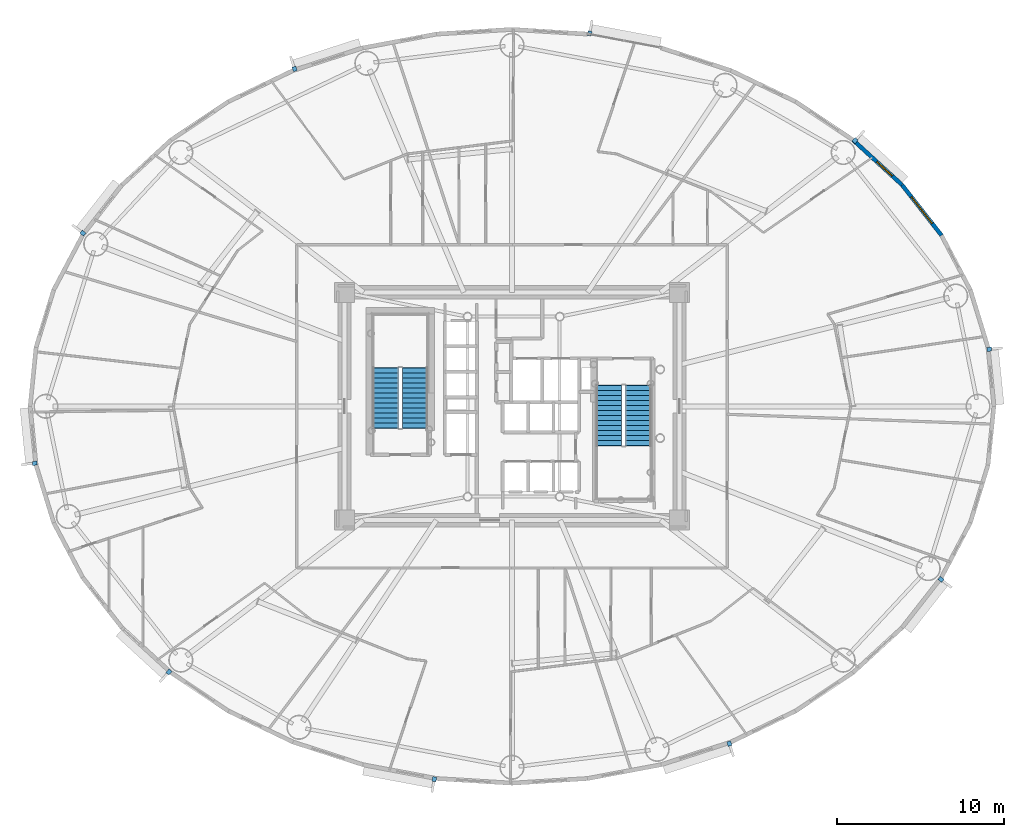
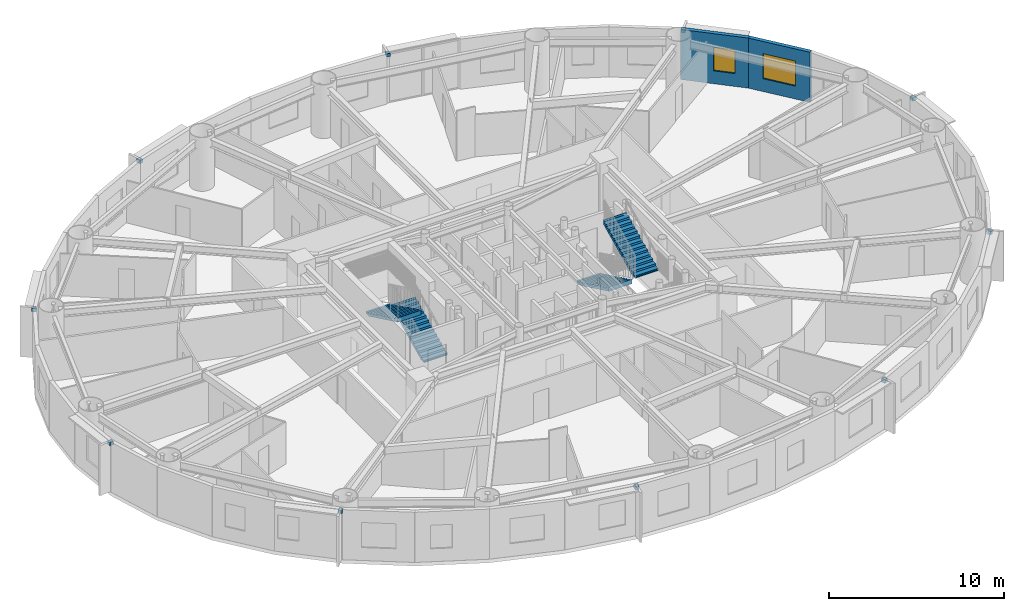
# One storey, part 14 of 19: 10 discrete accessories, 4 stair flights, 2 walls, 2 windows, 2 openings, 2 elements without a shape of their own.
"""IFC4 building model written with IfcOpenShell, lengths in metres."""

from ifc_helpers import new_model, si_unit, direction, frame, frame_2d, origin, origin_2d, place, context, subcontext, project, spatial, polyline, rectangle, outline, extrude, source, transform, mapped, material, layer, layer_set, type_object, element, fill, aggregate, save


model = new_model("IFC4")

# Units and contexts
model_context = context("Model", 3, precision=1e-05, world=origin(), true_north=direction((0.0, 1.0)))
body_context = subcontext(model_context, "Body", "Model", "MODEL_VIEW")
ifc_project = project(units=[si_unit("LENGTHUNIT", "METRE"), si_unit("AREAUNIT", "SQUARE_METRE"), si_unit("VOLUMEUNIT", "CUBIC_METRE"), si_unit("PLANEANGLEUNIT", "RADIAN"), si_unit("MASSUNIT", "GRAM", prefix="KILO")], contexts=[model_context])

# Site, building, storey
site_placement = place(None, origin())
site = spatial("IfcSite", under=ifc_project, at=site_placement, CompositionType="ELEMENT")
building_placement = place(site_placement, origin())
building = spatial("IfcBuilding", under=site, at=building_placement, Name="Linh Dai School and Residence Tower", CompositionType="ELEMENT")
storey_placement = place(building_placement, frame((0.0, 0.0, 112.199951171875)))
storey = spatial("IfcBuildingStorey", under=building, at=storey_placement, Name="L26", CompositionType="ELEMENT", Elevation=112.199951171875)

# Wall, opening, window
ifc_material_1 = material(Name="Precast Concrete B45 (C35/45)", Category="concrete")
ifc_layer = layer(ifc_material_1, 0.239990234375)
ifc_layer_set = layer_set([ifc_layer], Name="Precast Concrete B45 (C35/45)")
wall_type = type_object("IfcWallType", Name="EW-TC-240", PredefinedType="SOLIDWALL", material=ifc_layer_set)
wall_1_placement = place(storey_placement, frame((59.2890625, 40.216552734375, 0.0), z_axis=(0.0, 0.0, 1.0), x_axis=(0.616272103517, -0.787533297345, 0.0)))
wall_1 = element("IfcWall", 1, at=wall_1_placement, inside=storey, type_object=wall_type, Name="L26 Terracotta Exterior Wall 04", PredefinedType="SOLIDWALL", context=body_context, shape_type="SweptSolid", body=[
    extrude(rectangle(XDim=3.8232421875, YDim=0.239990234375, at=frame_2d((1.91162109375, 0.0))), origin(), (0.0, 0.0, 1.0), 3.5),
])
opening_1_placement = place(wall_1_placement, frame((0.91162109375, 0.0, 0.89990234375)))
opening_1 = element("IfcOpeningElement", 2, at=opening_1_placement, cuts=wall_1, Name="Opening W1", PredefinedType="OPENING", context=body_context, shape_type="SweptSolid", body=[
    extrude(rectangle(XDim=2.0, YDim=1.75, at=origin_2d()), frame((1.0, 0.1298828125, 0.875), z_axis=(0.0, -1.0, 0.0), x_axis=(1.0, 0.0, 0.0)), (0.0, 0.0, 1.0), 0.260009765625),
])
ifc_material_2 = material(Name="Double Low-E Insulated Glazing", Category="glass")
window_type_1 = type_object("IfcWindowType", Name="WN-RES-2000x1750", PartitioningType="DOUBLE_PANEL_VERTICAL", PredefinedType="WINDOW", material=ifc_material_2)
shared_shape_1 = source(origin(), body_context, "Body", "SweptSolid", [
    extrude(rectangle(XDim=2.0, YDim=1.75, at=origin_2d()), frame((1.0, 0.030029296875, 0.875), z_axis=(0.0, -1.0, 0.0), x_axis=(1.0, 0.0, 0.0)), (0.0, 0.0, 1.0), 0.06005859375),
])
window_1_placement = place(opening_1_placement, origin())
window_1 = element("IfcWindow", 3, at=window_1_placement, inside=storey, type_object=window_type_1, Name="L26 Exterior Window 04.1", OverallHeight=1.75, OverallWidth=2.0, PartitioningType="DOUBLE_PANEL_VERTICAL", PredefinedType="WINDOW", context=body_context, shape_type="MappedRepresentation", body=[
    mapped(shared_shape_1, transform((0.0, 0.0, 0.0), x_axis=(1.0, 0.0, 0.0), y_axis=(0.0, 1.0, 0.0), z_axis=(0.0, 0.0, 1.0), scale=1.0)),
])
fill(opening_1, window_1)

wall_2_placement = place(storey_placement, frame((56.3583984375, 42.9033203125, 0.0), z_axis=(0.0, 0.0, 1.0), x_axis=(0.737113356241, -0.675769117414, 0.0)))
wall_2 = element("IfcWall", 4, at=wall_2_placement, inside=storey, type_object=wall_type, Name="L26 Terracotta Exterior Wall 05", PredefinedType="SOLIDWALL", context=body_context, shape_type="SweptSolid", body=[
    extrude(rectangle(XDim=3.975830078125, YDim=0.239990234375, at=frame_2d((1.98779296875, 0.0))), origin(), (0.0, 0.0, 1.0), 3.5),
])
opening_2_placement = place(wall_2_placement, frame((1.932861328125, 0.0, 0.89990234375)))
opening_2 = element("IfcOpeningElement", 5, at=opening_2_placement, cuts=wall_2, Name="Opening W3", PredefinedType="OPENING", context=body_context, shape_type="SweptSolid", body=[
    extrude(rectangle(XDim=1.25, YDim=1.64990234375, at=origin_2d()), frame((0.625, 0.1298828125, 0.824951171875), z_axis=(0.0, -1.0, 0.0), x_axis=(1.0, 0.0, 0.0)), (0.0, 0.0, 1.0), 0.260009765625),
])
window_type_2 = type_object("IfcWindowType", Name="WN-RES-1250x1650", PartitioningType="SINGLE_PANEL", PredefinedType="WINDOW", material=ifc_material_2)
shared_shape_2 = source(origin(), body_context, "Body", "SweptSolid", [
    extrude(rectangle(XDim=1.25, YDim=1.64990234375, at=origin_2d()), frame((0.625, 0.030029296875, 0.824951171875), z_axis=(0.0, -1.0, 0.0), x_axis=(1.0, 0.0, 0.0)), (0.0, 0.0, 1.0), 0.06005859375),
])
window_2_placement = place(opening_2_placement, origin())
window_2 = element("IfcWindow", 6, at=window_2_placement, inside=storey, type_object=window_type_2, Name="L26 Exterior Window 05.1", OverallHeight=1.64990234375, OverallWidth=1.25, PartitioningType="SINGLE_PANEL", PredefinedType="WINDOW", context=body_context, shape_type="MappedRepresentation", body=[
    mapped(shared_shape_2, transform((0.0, 0.0, 0.0), x_axis=(1.0, 0.0, 0.0), y_axis=(0.0, 1.0, 0.0), z_axis=(0.0, 0.0, 1.0), scale=1.0)),
])
fill(opening_2, window_2)

# Stair, stair flights
ifc_material_3 = material(Name="Concrete B45 (C35/45)", Category="concrete")
stair_type = type_object("IfcStairType", Name="ST-DOG-1550-R1442", PredefinedType="HALF_TURN_STAIR", material=ifc_material_3)
stair_1_placement = place(storey_placement, origin())
stair_1 = element("IfcStair", 7, at=stair_1_placement, inside=storey, type_object=stair_type, Name="L26 Core Smokeproof Exit Stair ST1", PredefinedType="HALF_TURN_STAIR")
stair_flight_type = type_object("IfcStairFlightType", Name="STF-STR-1550-R1442", PredefinedType="STRAIGHT", material=ifc_material_3)
shared_shape_3 = source(origin(), body_context, "Body", "SweptSolid", [
    extrude(outline(polyline([(-0.02490234375, 0.0), (-0.02490234375, 0.06005859375), (0.0, 0.06005859375), (0.0, 0.144287109375), (0.300048828125, 0.144287109375), (0.300048828125, 0.28857421875), (0.60009765625, 0.28857421875), (0.60009765625, 0.4326171875), (0.89990234375, 0.4326171875), (0.89990234375, 0.576904296875), (1.199951171875, 0.576904296875), (1.199951171875, 0.72119140625), (1.5, 0.72119140625), (1.5, 0.865478515625), (1.800048828125, 0.865478515625), (1.800048828125, 1.009521484375), (2.10009765625, 1.009521484375), (2.10009765625, 1.15380859375), (2.39990234375, 1.15380859375), (2.39990234375, 1.298095703125), (2.699951171875, 1.298095703125), (2.699951171875, 1.4423828125), (3.0, 1.4423828125), (3.0, 1.58642578125), (3.300048828125, 1.58642578125), (3.300048828125, 1.730712890625), (3.60009765625, 1.730712890625), (3.60009765625, 1.875), (3.625, 1.875), (3.625, 1.564453125), (3.60009765625, 1.564453125), (0.345947265625, 0.0), (-0.02490234375, 0.0)])), frame((0.0, 0.77490234375, 0.0), z_axis=(0.0, -1.0, 0.0), x_axis=(1.0, 0.0, 0.0)), (0.0, 0.0, 1.0), 1.550048828125),
])
stair_flight_1_placement = place(storey_placement, frame((30.205078125, 25.699951171875, 0.0), z_axis=(0.0, 0.0, 1.0), x_axis=(0.0, 1.0, 0.0)))
stair_flight_1 = element("IfcStairFlight", 8, at=stair_flight_1_placement, type_object=stair_flight_type, Name="ST1 flight 1", NumberOfRisers=13, NumberOfTreads=12, PredefinedType="STRAIGHT", RiserHeight=0.144230769, TreadLength=0.3, context=body_context, shape_type="MappedRepresentation", body=[
    mapped(shared_shape_3, transform((0.0, 0.0, 0.0), x_axis=(1.0, 0.0, 0.0), y_axis=(0.0, 1.0, 0.0), z_axis=(0.0, 0.0, 1.0), scale=1.0)),
])
stair_flight_2_placement = place(storey_placement, frame((28.455078125, 29.300048828125, 1.875), z_axis=(0.0, 0.0, 1.0), x_axis=(0.0, -1.0, 0.0)))
stair_flight_2 = element("IfcStairFlight", 9, at=stair_flight_2_placement, type_object=stair_flight_type, Name="ST1 flight 2", NumberOfRisers=13, NumberOfTreads=12, PredefinedType="STRAIGHT", RiserHeight=0.144230769, TreadLength=0.3, context=body_context, shape_type="MappedRepresentation", body=[
    mapped(shared_shape_3, transform((0.0, 0.0, 0.0), x_axis=(1.0, 0.0, 0.0), y_axis=(0.0, 1.0, 0.0), z_axis=(0.0, 0.0, 1.0), scale=1.0)),
])
aggregate(stair_1, [stair_flight_1, stair_flight_2])

stair_2_placement = place(storey_placement, origin())
stair_2 = element("IfcStair", 10, at=stair_2_placement, inside=storey, type_object=stair_type, Name="L26 Core Smokeproof Exit Stair ST2", PredefinedType="HALF_TURN_STAIR")
stair_flight_3_placement = place(storey_placement, frame((41.794921875, 28.25, 0.0), z_axis=(0.0, 0.0, 1.0), x_axis=(0.0, -1.0, 0.0)))
stair_flight_3 = element("IfcStairFlight", 11, at=stair_flight_3_placement, type_object=stair_flight_type, Name="ST2 flight 1", NumberOfRisers=13, NumberOfTreads=12, PredefinedType="STRAIGHT", RiserHeight=0.144230769, TreadLength=0.3, context=body_context, shape_type="MappedRepresentation", body=[
    mapped(shared_shape_3, transform((0.0, 0.0, 0.0), x_axis=(1.0, 0.0, 0.0), y_axis=(0.0, 1.0, 0.0), z_axis=(0.0, 0.0, 1.0), scale=1.0)),
])
stair_flight_4_placement = place(storey_placement, frame((43.544921875, 24.64990234375, 1.875), z_axis=(0.0, 0.0, 1.0), x_axis=(0.0, 1.0, 0.0)))
stair_flight_4 = element("IfcStairFlight", 12, at=stair_flight_4_placement, type_object=stair_flight_type, Name="ST2 flight 2", NumberOfRisers=13, NumberOfTreads=12, PredefinedType="STRAIGHT", RiserHeight=0.144230769, TreadLength=0.3, context=body_context, shape_type="MappedRepresentation", body=[
    mapped(shared_shape_3, transform((0.0, 0.0, 0.0), x_axis=(1.0, 0.0, 0.0), y_axis=(0.0, 1.0, 0.0), z_axis=(0.0, 0.0, 1.0), scale=1.0)),
])
aggregate(stair_2, [stair_flight_3, stair_flight_4])

# Discrete accessories
ifc_material_4 = material(Name="Structural Steel S355JR", Category="steel")
discrete_accessory_type = type_object("IfcDiscreteAccessoryType", Name="ACC-BRK-S355", PredefinedType="BRACKET", material=ifc_material_4)
shared_shape_4 = source(origin(), body_context, "Body", "SweptSolid", [
    extrude(rectangle(XDim=0.280029296875, YDim=0.239990234375, at=origin_2d()), origin(), (0.0, 0.0, 1.0), 0.219970703125),
])
for number, where, z_axis, x_axis, name in (
    (13, (64.493408203125, 30.40185546875, 3.25), (0.0, 0.0, 1.0), (0.994986703684, 0.100007297192, 0.0), "L26 Facade Frame Anchor Bracket 01"),
    (14, (56.4873046875, 42.866455078125, 3.25), (0.0, 0.0, 1.0), (0.675783395482, 0.737100266172, 0.0), "L26 Facade Frame Anchor Bracket 05"),
    (15, (40.634521484375, 49.26416015625, 3.25), (0.0, 0.0, 1.0), (0.18475466193, 0.982784673718, 0.0), "L26 Facade Frame Anchor Bracket 09"),
    (16, (23.021728515625, 47.1416015625, 3.25), (0.0, 0.0, 1.0), (-0.308522363457, 0.951217089442, 0.0), "L26 Facade Frame Anchor Bracket 13"),
    (17, (10.38134765625, 37.337158203125, 3.25), (0.0, 0.0, 1.0), (-0.787507539838, 0.616305017583, 0.0), "L26 Facade Frame Anchor Bracket 17"),
    (18, (7.506591796875, 23.59814453125, 3.25), (0.0, 0.0, 1.0), (-0.994986703684, -0.100007297192, 0.0), "L26 Facade Frame Anchor Bracket 21"),
    (19, (15.5126953125, 11.133544921875, 3.25), (0.0, 0.0, 1.0), (-0.675783395482, -0.737100266172, 0.0), "L26 Facade Frame Anchor Bracket 25"),
    (20, (31.365478515625, 4.73583984375, 3.25), (0.0, 0.0, 1.0), (-0.18475466193, -0.982784673718, 0.0), "L26 Facade Frame Anchor Bracket 29"),
    (21, (48.978271484375, 6.8583984375, 3.25), (0.0, 0.0, 1.0), (0.308522363457, -0.951217089442, 0.0), "L26 Facade Frame Anchor Bracket 33"),
    (22, (61.61865234375, 16.662841796875, 3.25), (0.0, 0.0, 1.0), (0.787507539838, -0.616305017583, 0.0), "L26 Facade Frame Anchor Bracket 37"),
):
    element("IfcDiscreteAccessory", number, at=place(storey_placement, frame(where, z_axis=z_axis, x_axis=x_axis)), inside=storey, type_object=discrete_accessory_type, Name=name, PredefinedType="BRACKET", context=body_context, shape_type="MappedRepresentation", body=[
        mapped(shared_shape_4, transform((0.0, 0.0, 0.0), x_axis=(1.0, 0.0, 0.0), y_axis=(0.0, 1.0, 0.0), z_axis=(0.0, 0.0, 1.0), scale=1.0)),
    ])

save(model, "model.ifc")
